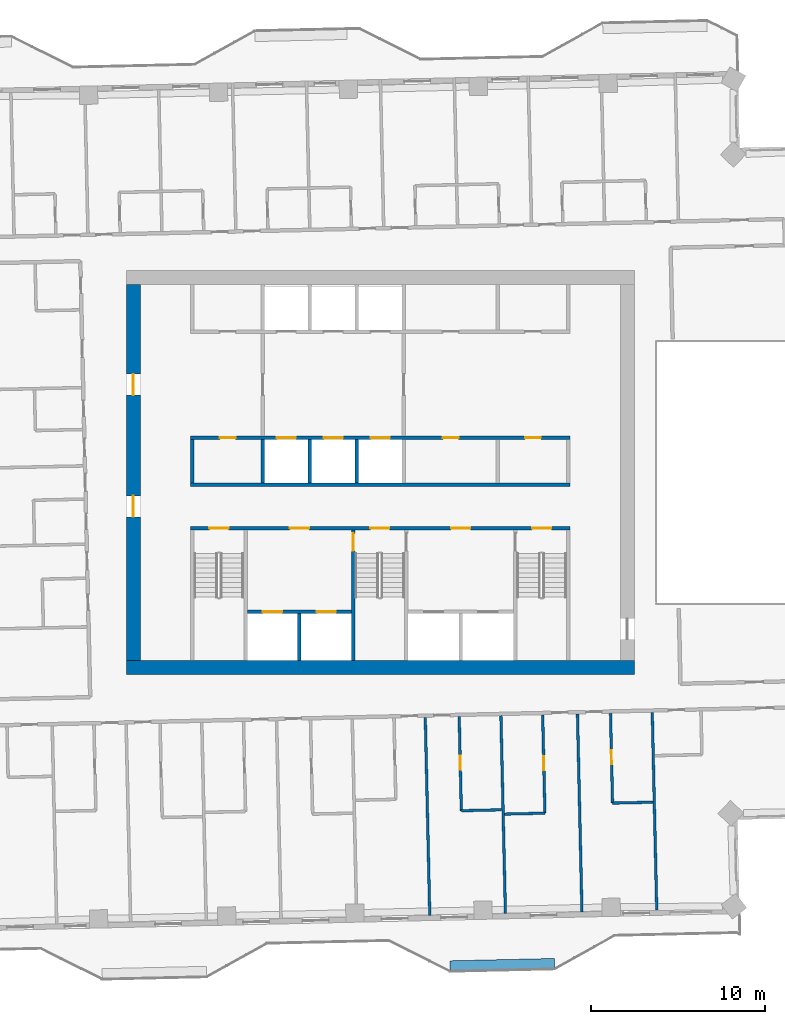
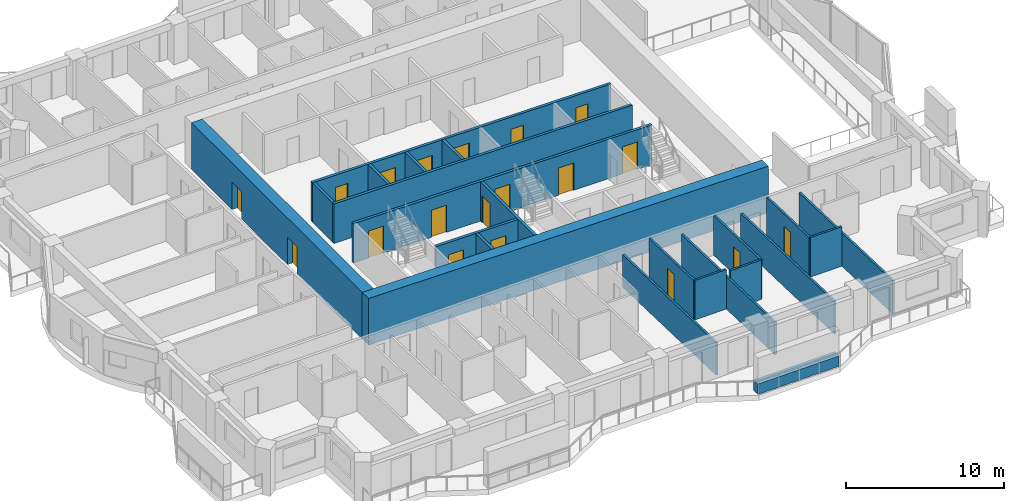
# One storey, part 8 of 17: 23 walls, 19 doors, 19 openings.
"""IFC4 building model written with IfcOpenShell, lengths in metres."""

from ifc_helpers import new_model, si_unit, direction, frame, frame_2d, origin, place, context, subcontext, project, spatial, rectangle, extrude, material, layer, layer_set, type_object, element, fill, save


model = new_model("IFC4")

# Units and contexts
model_context = context("Model", 3, precision=1e-05, world=origin(), true_north=direction((0.0, 1.0)))
body_context = subcontext(model_context, "Body", "Model", "MODEL_VIEW")
ifc_project = project(units=[si_unit("LENGTHUNIT", "METRE"), si_unit("AREAUNIT", "SQUARE_METRE"), si_unit("VOLUMEUNIT", "CUBIC_METRE"), si_unit("PLANEANGLEUNIT", "RADIAN"), si_unit("MASSUNIT", "GRAM", prefix="KILO")], contexts=[model_context])

# Site, building, storey
site_placement = place(None, origin())
site = spatial("IfcSite", under=ifc_project, at=site_placement, CompositionType="ELEMENT")
building_placement = place(site_placement, origin())
building = spatial("IfcBuilding", under=site, at=building_placement, Name="Mangrove Gate Tower", CompositionType="ELEMENT")
storey_placement = place(building_placement, frame((0.0, 0.0, 245.5)))
storey = spatial("IfcBuildingStorey", under=building, at=storey_placement, Name="L62", CompositionType="ELEMENT", Elevation=245.5)

# Walls
ifc_material_1 = material(Name="Concrete C32/40", Category="concrete")
ifc_layer_1 = layer(ifc_material_1, 0.199951171875)
ifc_layer_set_1 = layer_set([ifc_layer_1], Name="Core room wall 200 C32/40")
wall_type_1 = type_object("IfcWallType", Name="Core room wall 200 C32/40", PredefinedType="STANDARD", material=ifc_layer_set_1)
wall_1_placement = place(storey_placement, frame((-10.800048828125, -0.60009765625, 0.0), z_axis=(0.0, 0.0, 1.0), x_axis=(0.0, 1.0, 0.0)))
element("IfcWall", 1, at=wall_1_placement, inside=storey, type_object=wall_type_1, Name="WALL-L62-CORE-19", PredefinedType="STANDARD", context=body_context, shape_type="SweptSolid", body=[
    extrude(rectangle(XDim=2.5, YDim=0.199951171875, at=frame_2d((1.25, 0.0))), origin(), (0.0, 0.0, 1.0), 3.050048828125),
])
ifc_material_2 = material(Name="Concrete C60/75", Category="concrete")
ifc_layer_2 = layer(ifc_material_2, 0.199951171875)
ifc_layer_set_2 = layer_set([ifc_layer_2], Name="Core shaft wall 200 C60/75")
wall_type_2 = type_object("IfcWallType", Name="Core shaft wall 200 C60/75", PredefinedType="SHEAR", material=ifc_layer_set_2)
wall_2_placement = place(storey_placement, frame((-10.89990234375, -0.699951171875, 0.0), z_axis=(0.0, 0.0, 1.0), x_axis=(1.0, 0.0, 0.0)))
element("IfcWall", 2, at=wall_2_placement, inside=storey, type_object=wall_type_2, Name="WALL-L62-CORE-6", PredefinedType="SHEAR", context=body_context, shape_type="SweptSolid", body=[
    extrude(rectangle(XDim=21.7998046875, YDim=0.199951171875, at=frame_2d((10.89990234375, 0.0))), origin(), (0.0, 0.0, 1.0), 3.050048828125),
])

# Wall, openings, doors
wall_3_placement = place(storey_placement, frame((-10.89990234375, 2.0, 0.0), z_axis=(0.0, 0.0, 1.0), x_axis=(1.0, 0.0, 0.0)))
wall_3 = element("IfcWall", 3, at=wall_3_placement, inside=storey, type_object=wall_type_2, Name="WALL-L62-CORE-7", PredefinedType="SHEAR", context=body_context, shape_type="SweptSolid", body=[
    extrude(rectangle(XDim=21.7998046875, YDim=0.199951171875, at=frame_2d((10.89990234375, 0.0))), origin(), (0.0, 0.0, 1.0), 3.050048828125),
])
opening_1_placement = place(wall_3_placement, frame((4.949951171875, 0.0, 0.0)))
opening_1 = element("IfcOpeningElement", 4, at=opening_1_placement, cuts=wall_3, Name="Opening LD", PredefinedType="OPENING", context=body_context, shape_type="SweptSolid", body=[
    extrude(rectangle(XDim=1.10009765625, YDim=2.10009765625, at=frame_2d((0.550048828125, 1.050048828125))), frame((0.0, 0.10986328125, 0.0), z_axis=(0.0, -1.0, 0.0), x_axis=(1.0, 0.0, 0.0)), (0.0, 0.0, 1.0), 0.219970703125),
])
opening_2_placement = place(wall_3_placement, frame((7.64990234375, 0.0, 0.0)))
opening_2 = element("IfcOpeningElement", 5, at=opening_2_placement, cuts=wall_3, Name="Opening LD", PredefinedType="OPENING", context=body_context, shape_type="SweptSolid", body=[
    extrude(rectangle(XDim=1.10009765625, YDim=2.10009765625, at=frame_2d((0.550048828125, 1.050048828125))), frame((0.0, 0.10986328125, 0.0), z_axis=(0.0, -1.0, 0.0), x_axis=(1.0, 0.0, 0.0)), (0.0, 0.0, 1.0), 0.219970703125),
])
opening_3_placement = place(wall_3_placement, frame((10.35009765625, 0.0, 0.0)))
opening_3 = element("IfcOpeningElement", 6, at=opening_3_placement, cuts=wall_3, Name="Opening LD", PredefinedType="OPENING", context=body_context, shape_type="SweptSolid", body=[
    extrude(rectangle(XDim=1.10009765625, YDim=2.10009765625, at=frame_2d((0.550048828125, 1.050048828125))), frame((0.0, 0.10986328125, 0.0), z_axis=(0.0, -1.0, 0.0), x_axis=(1.0, 0.0, 0.0)), (0.0, 0.0, 1.0), 0.219970703125),
])
opening_4_placement = place(wall_3_placement, frame((1.675048828125, 0.0, 0.0)))
opening_4 = element("IfcOpeningElement", 7, at=opening_4_placement, cuts=wall_3, Name="Opening KD", PredefinedType="OPENING", context=body_context, shape_type="SweptSolid", body=[
    extrude(rectangle(XDim=0.89990234375, YDim=2.10009765625, at=frame_2d((0.449951171875, 1.050048828125))), frame((0.0, 0.10986328125, 0.0), z_axis=(0.0, -1.0, 0.0), x_axis=(1.0, 0.0, 0.0)), (0.0, 0.0, 1.0), 0.219970703125),
])
opening_5_placement = place(wall_3_placement, frame((14.5, 0.0, 0.0)))
opening_5 = element("IfcOpeningElement", 8, at=opening_5_placement, cuts=wall_3, Name="Opening KD", PredefinedType="OPENING", context=body_context, shape_type="SweptSolid", body=[
    extrude(rectangle(XDim=0.89990234375, YDim=2.10009765625, at=frame_2d((0.449951171875, 1.050048828125))), frame((0.0, 0.10986328125, 0.0), z_axis=(0.0, -1.0, 0.0), x_axis=(1.0, 0.0, 0.0)), (0.0, 0.0, 1.0), 0.219970703125),
])
opening_6_placement = place(wall_3_placement, frame((19.22509765625, 0.0, 0.0)))
opening_6 = element("IfcOpeningElement", 9, at=opening_6_placement, cuts=wall_3, Name="Opening RD", PredefinedType="OPENING", context=body_context, shape_type="SweptSolid", body=[
    extrude(rectangle(XDim=0.89990234375, YDim=2.10009765625, at=frame_2d((0.449951171875, 1.050048828125))), frame((0.0, 0.10986328125, 0.0), z_axis=(0.0, -1.0, 0.0), x_axis=(1.0, 0.0, 0.0)), (0.0, 0.0, 1.0), 0.219970703125),
])
ifc_material_3 = material(Name="Fire-rated steel door set", Category="steel")
door_type_1 = type_object("IfcDoorType", Name="Core room door FD30S 900x2100", OperationType="SINGLE_SWING_RIGHT", PredefinedType="DOOR", material=ifc_material_3)
door_1_placement = place(opening_4_placement, origin())
door_1 = element("IfcDoor", 10, at=door_1_placement, inside=storey, type_object=door_type_1, Name="Core room door Cleaner's store", OperationType="SINGLE_SWING_RIGHT", OverallHeight=2.10009765625, OverallWidth=0.89990234375, PredefinedType="DOOR", context=body_context, shape_type="SweptSolid", body=[
    extrude(rectangle(XDim=0.89990234375, YDim=2.10009765625, at=frame_2d((0.449951171875, 1.050048828125))), frame((0.0, 0.02490234375, 0.0), z_axis=(0.0, -1.0, 0.0), x_axis=(1.0, 0.0, 0.0)), (0.0, 0.0, 1.0), 0.050048828125),
])
fill(opening_4, door_1)
door_2_placement = place(opening_5_placement, origin())
door_2 = element("IfcDoor", 11, at=door_2_placement, inside=storey, type_object=door_type_1, Name="Core room door Refuse store", OperationType="SINGLE_SWING_RIGHT", OverallHeight=2.10009765625, OverallWidth=0.89990234375, PredefinedType="DOOR", context=body_context, shape_type="SweptSolid", body=[
    extrude(rectangle(XDim=0.89990234375, YDim=2.10009765625, at=frame_2d((0.449951171875, 1.050048828125))), frame((0.0, 0.02490234375, 0.0), z_axis=(0.0, -1.0, 0.0), x_axis=(1.0, 0.0, 0.0)), (0.0, 0.0, 1.0), 0.050048828125),
])
fill(opening_5, door_2)
ifc_material_4 = material(Name="Stainless steel 316", Category="steel")
door_type_2 = type_object("IfcDoorType", Name="Lift landing door 1100x2100", OperationType="SLIDING_TO_LEFT", PredefinedType="DOOR", material=ifc_material_4)
door_3_placement = place(opening_1_placement, origin())
door_3 = element("IfcDoor", 12, at=door_3_placement, inside=storey, type_object=door_type_2, Name="Landing door LD H01", OperationType="SLIDING_TO_LEFT", OverallHeight=2.10009765625, OverallWidth=1.10009765625, PredefinedType="DOOR", context=body_context, shape_type="SweptSolid", body=[
    extrude(rectangle(XDim=1.10009765625, YDim=2.10009765625, at=frame_2d((0.550048828125, 1.050048828125))), frame((0.0, 0.02490234375, 0.0), z_axis=(0.0, -1.0, 0.0), x_axis=(1.0, 0.0, 0.0)), (0.0, 0.0, 1.0), 0.050048828125),
])
fill(opening_1, door_3)
door_4_placement = place(opening_2_placement, origin())
door_4 = element("IfcDoor", 13, at=door_4_placement, inside=storey, type_object=door_type_2, Name="Landing door LD H02", OperationType="SLIDING_TO_LEFT", OverallHeight=2.10009765625, OverallWidth=1.10009765625, PredefinedType="DOOR", context=body_context, shape_type="SweptSolid", body=[
    extrude(rectangle(XDim=1.10009765625, YDim=2.10009765625, at=frame_2d((0.550048828125, 1.050048828125))), frame((0.0, 0.02490234375, 0.0), z_axis=(0.0, -1.0, 0.0), x_axis=(1.0, 0.0, 0.0)), (0.0, 0.0, 1.0), 0.050048828125),
])
fill(opening_2, door_4)
door_5_placement = place(opening_3_placement, origin())
door_5 = element("IfcDoor", 14, at=door_5_placement, inside=storey, type_object=door_type_2, Name="Landing door LD H03", OperationType="SLIDING_TO_LEFT", OverallHeight=2.10009765625, OverallWidth=1.10009765625, PredefinedType="DOOR", context=body_context, shape_type="SweptSolid", body=[
    extrude(rectangle(XDim=1.10009765625, YDim=2.10009765625, at=frame_2d((0.550048828125, 1.050048828125))), frame((0.0, 0.02490234375, 0.0), z_axis=(0.0, -1.0, 0.0), x_axis=(1.0, 0.0, 0.0)), (0.0, 0.0, 1.0), 0.050048828125),
])
fill(opening_3, door_5)
ifc_material_5 = material(Name="Fire-rated steel door set", Category="steel")
door_type_3 = type_object("IfcDoorType", Name="Riser door FD30S 900x2100", OperationType="SINGLE_SWING_LEFT", PredefinedType="DOOR", material=ifc_material_5)
door_6_placement = place(opening_6_placement, origin())
door_6 = element("IfcDoor", 15, at=door_6_placement, inside=storey, type_object=door_type_3, Name="Riser door Electrical room", OperationType="SINGLE_SWING_LEFT", OverallHeight=2.10009765625, OverallWidth=0.89990234375, PredefinedType="DOOR", context=body_context, shape_type="SweptSolid", body=[
    extrude(rectangle(XDim=0.89990234375, YDim=2.10009765625, at=frame_2d((0.449951171875, 1.050048828125))), frame((0.0, 0.02490234375, 0.0), z_axis=(0.0, -1.0, 0.0), x_axis=(1.0, 0.0, 0.0)), (0.0, 0.0, 1.0), 0.050048828125),
])
fill(opening_6, door_6)

wall_4_placement = place(storey_placement, frame((-7.64990234375, -8.0, 0.0), z_axis=(0.0, 0.0, 1.0), x_axis=(1.0, 0.0, 0.0)))
wall_4 = element("IfcWall", 16, at=wall_4_placement, inside=storey, type_object=wall_type_2, Name="WALL-L62-CORE-15", PredefinedType="SHEAR", context=body_context, shape_type="SweptSolid", body=[
    extrude(rectangle(XDim=6.0, YDim=0.199951171875, at=frame_2d((3.0, 0.0))), origin(), (0.0, 0.0, 1.0), 3.050048828125),
])
opening_7_placement = place(wall_4_placement, frame((0.89990234375, 0.0, 0.0)))
opening_7 = element("IfcOpeningElement", 17, at=opening_7_placement, cuts=wall_4, Name="Opening LD", PredefinedType="OPENING", context=body_context, shape_type="SweptSolid", body=[
    extrude(rectangle(XDim=1.10009765625, YDim=2.10009765625, at=frame_2d((0.550048828125, 1.050048828125))), frame((0.0, 0.10986328125, 0.0), z_axis=(0.0, -1.0, 0.0), x_axis=(1.0, 0.0, 0.0)), (0.0, 0.0, 1.0), 0.219970703125),
])
opening_8_placement = place(wall_4_placement, frame((4.0, 0.0, 0.0)))
opening_8 = element("IfcOpeningElement", 18, at=opening_8_placement, cuts=wall_4, Name="Opening LD", PredefinedType="OPENING", context=body_context, shape_type="SweptSolid", body=[
    extrude(rectangle(XDim=1.10009765625, YDim=2.10009765625, at=frame_2d((0.550048828125, 1.050048828125))), frame((0.0, 0.10986328125, 0.0), z_axis=(0.0, -1.0, 0.0), x_axis=(1.0, 0.0, 0.0)), (0.0, 0.0, 1.0), 0.219970703125),
])
door_7_placement = place(opening_7_placement, origin())
door_7 = element("IfcDoor", 19, at=door_7_placement, inside=storey, type_object=door_type_2, Name="Landing door LD SVL1", OperationType="SLIDING_TO_LEFT", OverallHeight=2.10009765625, OverallWidth=1.10009765625, PredefinedType="DOOR", context=body_context, shape_type="SweptSolid", body=[
    extrude(rectangle(XDim=1.10009765625, YDim=2.10009765625, at=frame_2d((0.550048828125, 1.050048828125))), frame((0.0, 0.02490234375, 0.0), z_axis=(0.0, -1.0, 0.0), x_axis=(1.0, 0.0, 0.0)), (0.0, 0.0, 1.0), 0.050048828125),
])
fill(opening_7, door_7)
door_8_placement = place(opening_8_placement, origin())
door_8 = element("IfcDoor", 20, at=door_8_placement, inside=storey, type_object=door_type_2, Name="Landing door LD SVL2", OperationType="SLIDING_TO_LEFT", OverallHeight=2.10009765625, OverallWidth=1.10009765625, PredefinedType="DOOR", context=body_context, shape_type="SweptSolid", body=[
    extrude(rectangle(XDim=1.10009765625, YDim=2.10009765625, at=frame_2d((0.550048828125, 1.050048828125))), frame((0.0, 0.02490234375, 0.0), z_axis=(0.0, -1.0, 0.0), x_axis=(1.0, 0.0, 0.0)), (0.0, 0.0, 1.0), 0.050048828125),
])
fill(opening_8, door_8)

# Walls
wall_5_placement = place(storey_placement, frame((-4.64990234375, -10.800048828125, 0.0), z_axis=(0.0, 0.0, 1.0), x_axis=(0.0, 1.0, 0.0)))
element("IfcWall", 21, at=wall_5_placement, inside=storey, type_object=wall_type_2, Name="WALL-L62-CORE-16", PredefinedType="SHEAR", context=body_context, shape_type="SweptSolid", body=[
    extrude(rectangle(XDim=2.699951171875, YDim=0.199951171875, at=frame_2d((1.35009765625, 0.0))), origin(), (0.0, 0.0, 1.0), 3.050048828125),
])
for number, where, z_axis, x_axis, name in (
    (22, (-6.75, -0.60009765625, 0.0), (0.0, 0.0, 1.0), (0.0, 1.0, 0.0), "WALL-L62-CORE-20"),
    (23, (-4.050048828125, -0.60009765625, 0.0), (0.0, 0.0, 1.0), (0.0, 1.0, 0.0), "WALL-L62-CORE-21"),
    (24, (-1.35009765625, -0.60009765625, 0.0), (0.0, 0.0, 1.0), (0.0, 1.0, 0.0), "WALL-L62-CORE-22"),
):
    element("IfcWall", number, at=place(storey_placement, frame(where, z_axis=z_axis, x_axis=x_axis)), inside=storey, type_object=wall_type_2, Name=name, PredefinedType="SHEAR", context=body_context, shape_type="SweptSolid", body=[
        extrude(rectangle(XDim=2.5, YDim=0.199951171875, at=frame_2d((1.25, 0.0))), origin(), (0.0, 0.0, 1.0), 3.050048828125),
    ])

# Wall, openings, doors
ifc_material_6 = material(Name="Concrete C60/75", Category="concrete")
ifc_layer_3 = layer(ifc_material_6, 0.199951171875)
ifc_layer_set_3 = layer_set([ifc_layer_3], Name="Core stair wall 200 C60/75")
wall_type_3 = type_object("IfcWallType", Name="Core stair wall 200 C60/75", PredefinedType="SHEAR", material=ifc_layer_set_3)
wall_6_placement = place(storey_placement, frame((-10.89990234375, -3.199951171875, 0.0), z_axis=(0.0, 0.0, 1.0), x_axis=(1.0, 0.0, 0.0)))
wall_6 = element("IfcWall", 25, at=wall_6_placement, inside=storey, type_object=wall_type_3, Name="WALL-L62-CORE-5", PredefinedType="SHEAR", context=body_context, shape_type="SweptSolid", body=[
    extrude(rectangle(XDim=21.7998046875, YDim=0.199951171875, at=frame_2d((10.89990234375, 0.0))), origin(), (0.0, 0.0, 1.0), 3.050048828125),
])
opening_9_placement = place(wall_6_placement, frame((1.074951171875, 0.0, 0.0)))
opening_9 = element("IfcOpeningElement", 26, at=opening_9_placement, cuts=wall_6, Name="Opening STD11", PredefinedType="OPENING", context=body_context, shape_type="SweptSolid", body=[
    extrude(rectangle(XDim=1.10009765625, YDim=2.10009765625, at=frame_2d((0.550048828125, 1.050048828125))), frame((0.0, 0.10986328125, 0.0), z_axis=(0.0, -1.0, 0.0), x_axis=(1.0, 0.0, 0.0)), (0.0, 0.0, 1.0), 0.219970703125),
])
opening_10_placement = place(wall_6_placement, frame((10.324951171875, 0.0, 0.0)))
opening_10 = element("IfcOpeningElement", 27, at=opening_10_placement, cuts=wall_6, Name="Opening STD11", PredefinedType="OPENING", context=body_context, shape_type="SweptSolid", body=[
    extrude(rectangle(XDim=1.10009765625, YDim=2.10009765625, at=frame_2d((0.550048828125, 1.050048828125))), frame((0.0, 0.10986328125, 0.0), z_axis=(0.0, -1.0, 0.0), x_axis=(1.0, 0.0, 0.0)), (0.0, 0.0, 1.0), 0.219970703125),
])
opening_11_placement = place(wall_6_placement, frame((19.625, 0.0, 0.0)))
opening_11 = element("IfcOpeningElement", 28, at=opening_11_placement, cuts=wall_6, Name="Opening STD11", PredefinedType="OPENING", context=body_context, shape_type="SweptSolid", body=[
    extrude(rectangle(XDim=1.10009765625, YDim=2.10009765625, at=frame_2d((0.550048828125, 1.050048828125))), frame((0.0, 0.10986328125, 0.0), z_axis=(0.0, -1.0, 0.0), x_axis=(1.0, 0.0, 0.0)), (0.0, 0.0, 1.0), 0.219970703125),
])
opening_12_placement = place(wall_6_placement, frame((5.699951171875, 0.0, 0.0)))
opening_12 = element("IfcOpeningElement", 29, at=opening_12_placement, cuts=wall_6, Name="Opening FL", PredefinedType="OPENING", context=body_context, shape_type="SweptSolid", body=[
    extrude(rectangle(XDim=1.10009765625, YDim=2.10009765625, at=frame_2d((0.550048828125, 1.050048828125))), frame((0.0, 0.10986328125, 0.0), z_axis=(0.0, -1.0, 0.0), x_axis=(1.0, 0.0, 0.0)), (0.0, 0.0, 1.0), 0.219970703125),
])
opening_13_placement = place(wall_6_placement, frame((14.97509765625, 0.0, 0.0)))
opening_13 = element("IfcOpeningElement", 30, at=opening_13_placement, cuts=wall_6, Name="Opening FL", PredefinedType="OPENING", context=body_context, shape_type="SweptSolid", body=[
    extrude(rectangle(XDim=1.10009765625, YDim=2.10009765625, at=frame_2d((0.550048828125, 1.050048828125))), frame((0.0, 0.10986328125, 0.0), z_axis=(0.0, -1.0, 0.0), x_axis=(1.0, 0.0, 0.0)), (0.0, 0.0, 1.0), 0.219970703125),
])
ifc_material_7 = material(Name="Fire-rated steel door set", Category="steel")
door_type_4 = type_object("IfcDoorType", Name="Lobby door FD60 1100x2100", OperationType="SINGLE_SWING_LEFT", PredefinedType="DOOR", material=ifc_material_7)
door_9_placement = place(opening_12_placement, origin())
door_9 = element("IfcDoor", 31, at=door_9_placement, inside=storey, type_object=door_type_4, Name="Lobby door service lobby", OperationType="SINGLE_SWING_LEFT", OverallHeight=2.10009765625, OverallWidth=1.10009765625, PredefinedType="DOOR", context=body_context, shape_type="SweptSolid", body=[
    extrude(rectangle(XDim=1.10009765625, YDim=2.10009765625, at=frame_2d((0.550048828125, 1.050048828125))), frame((0.0, 0.02490234375, 0.0), z_axis=(0.0, -1.0, 0.0), x_axis=(1.0, 0.0, 0.0)), (0.0, 0.0, 1.0), 0.050048828125),
])
fill(opening_12, door_9)
door_10_placement = place(opening_13_placement, origin())
door_10 = element("IfcDoor", 32, at=door_10_placement, inside=storey, type_object=door_type_4, Name="Lobby door fire-fighting lobby", OperationType="SINGLE_SWING_LEFT", OverallHeight=2.10009765625, OverallWidth=1.10009765625, PredefinedType="DOOR", context=body_context, shape_type="SweptSolid", body=[
    extrude(rectangle(XDim=1.10009765625, YDim=2.10009765625, at=frame_2d((0.550048828125, 1.050048828125))), frame((0.0, 0.02490234375, 0.0), z_axis=(0.0, -1.0, 0.0), x_axis=(1.0, 0.0, 0.0)), (0.0, 0.0, 1.0), 0.050048828125),
])
fill(opening_13, door_10)
ifc_material_8 = material(Name="Fire-rated steel door set", Category="steel")
door_type_5 = type_object("IfcDoorType", Name="Stair door FD60 1100x2100", OperationType="SINGLE_SWING_RIGHT", PredefinedType="DOOR", material=ifc_material_8)
door_11_placement = place(opening_9_placement, origin())
door_11 = element("IfcDoor", 33, at=door_11_placement, inside=storey, type_object=door_type_5, Name="Stair door Stair 1", OperationType="SINGLE_SWING_RIGHT", OverallHeight=2.10009765625, OverallWidth=1.10009765625, PredefinedType="DOOR", context=body_context, shape_type="SweptSolid", body=[
    extrude(rectangle(XDim=1.10009765625, YDim=2.10009765625, at=frame_2d((0.550048828125, 1.050048828125))), frame((0.0, 0.02490234375, 0.0), z_axis=(0.0, -1.0, 0.0), x_axis=(1.0, 0.0, 0.0)), (0.0, 0.0, 1.0), 0.050048828125),
])
fill(opening_9, door_11)
door_12_placement = place(opening_10_placement, origin())
door_12 = element("IfcDoor", 34, at=door_12_placement, inside=storey, type_object=door_type_5, Name="Stair door Stair 2", OperationType="SINGLE_SWING_RIGHT", OverallHeight=2.10009765625, OverallWidth=1.10009765625, PredefinedType="DOOR", context=body_context, shape_type="SweptSolid", body=[
    extrude(rectangle(XDim=1.10009765625, YDim=2.10009765625, at=frame_2d((0.550048828125, 1.050048828125))), frame((0.0, 0.02490234375, 0.0), z_axis=(0.0, -1.0, 0.0), x_axis=(1.0, 0.0, 0.0)), (0.0, 0.0, 1.0), 0.050048828125),
])
fill(opening_10, door_12)
door_13_placement = place(opening_11_placement, origin())
door_13 = element("IfcDoor", 35, at=door_13_placement, inside=storey, type_object=door_type_5, Name="Stair door Stair 3", OperationType="SINGLE_SWING_RIGHT", OverallHeight=2.10009765625, OverallWidth=1.10009765625, PredefinedType="DOOR", context=body_context, shape_type="SweptSolid", body=[
    extrude(rectangle(XDim=1.10009765625, YDim=2.10009765625, at=frame_2d((0.550048828125, 1.050048828125))), frame((0.0, 0.02490234375, 0.0), z_axis=(0.0, -1.0, 0.0), x_axis=(1.0, 0.0, 0.0)), (0.0, 0.0, 1.0), 0.050048828125),
])
fill(opening_11, door_13)

# Wall, opening, door
wall_7_placement = place(storey_placement, frame((-1.550048828125, -10.800048828125, 0.0), z_axis=(0.0, 0.0, 1.0), x_axis=(0.0, 1.0, 0.0)))
wall_7 = element("IfcWall", 36, at=wall_7_placement, inside=storey, type_object=wall_type_3, Name="WALL-L62-CORE-11", PredefinedType="SHEAR", context=body_context, shape_type="SweptSolid", body=[
    extrude(rectangle(XDim=7.5, YDim=0.199951171875, at=frame_2d((3.75, 0.0))), origin(), (0.0, 0.0, 1.0), 3.050048828125),
])
opening_14_placement = place(wall_7_placement, frame((6.300048828125, 0.0, 0.0)))
opening_14 = element("IfcOpeningElement", 37, at=opening_14_placement, cuts=wall_7, Name="Opening STD10", PredefinedType="OPENING", context=body_context, shape_type="SweptSolid", body=[
    extrude(rectangle(XDim=1.0, YDim=2.10009765625, at=frame_2d((0.5, 1.050048828125))), frame((0.0, 0.10986328125, 0.0), z_axis=(0.0, -1.0, 0.0), x_axis=(1.0, 0.0, 0.0)), (0.0, 0.0, 1.0), 0.219970703125),
])
ifc_material_9 = material(Name="Fire-rated steel door set", Category="steel")
door_type_6 = type_object("IfcDoorType", Name="Stair door FD60 1000x2100", OperationType="SINGLE_SWING_RIGHT", PredefinedType="DOOR", material=ifc_material_9)
door_14_placement = place(opening_14_placement, origin())
door_14 = element("IfcDoor", 38, at=door_14_placement, inside=storey, type_object=door_type_6, Name="Stair door Stair 2 from service lobby", OperationType="SINGLE_SWING_RIGHT", OverallHeight=2.10009765625, OverallWidth=1.0, PredefinedType="DOOR", context=body_context, shape_type="SweptSolid", body=[
    extrude(rectangle(XDim=1.0, YDim=2.10009765625, at=frame_2d((0.5, 1.050048828125))), frame((0.0, 0.02490234375, 0.0), z_axis=(0.0, -1.0, 0.0), x_axis=(1.0, 0.0, 0.0)), (0.0, 0.0, 1.0), 0.050048828125),
])
fill(opening_14, door_14)

# Wall
ifc_material_10 = material(Name="Concrete C60/75", Category="concrete")
ifc_layer_4 = layer(ifc_material_10, 0.800048828125)
ifc_layer_set_4 = layer_set([ifc_layer_4], Name="Core wall 800 C60/75")
wall_type_4 = type_object("IfcWallType", Name="Core wall 800 C60/75", PredefinedType="SHEAR", material=ifc_layer_set_4)
wall_8_placement = place(storey_placement, frame((-14.60009765625, -11.199951171875, 0.0), z_axis=(0.0, 0.0, 1.0), x_axis=(1.0, 0.0, 0.0)))
element("IfcWall", 39, at=wall_8_placement, inside=storey, type_object=wall_type_4, Name="WALL-L62-CORE-1", PredefinedType="SHEAR", context=body_context, shape_type="SweptSolid", body=[
    extrude(rectangle(XDim=29.2001953125, YDim=0.800048828125, at=frame_2d((14.60009765625, 0.0))), origin(), (0.0, 0.0, 1.0), 3.60009765625),
])

# Wall, openings, doors
wall_9_placement = place(storey_placement, frame((-14.199951171875, -10.800048828125, 0.0), z_axis=(0.0, 0.0, 1.0), x_axis=(0.0, 1.0, 0.0)))
wall_9 = element("IfcWall", 40, at=wall_9_placement, inside=storey, type_object=wall_type_4, Name="WALL-L62-CORE-3", PredefinedType="SHEAR", context=body_context, shape_type="SweptSolid", body=[
    extrude(rectangle(XDim=21.60009765625, YDim=0.800048828125, at=frame_2d((10.800048828125, 0.0))), origin(), (0.0, 0.0, 1.0), 3.60009765625),
])
opening_15_placement = place(wall_9_placement, frame((8.25, 0.0, 0.0)))
opening_15 = element("IfcOpeningElement", 41, at=opening_15_placement, cuts=wall_9, Name="Opening CD", PredefinedType="OPENING", context=body_context, shape_type="SweptSolid", body=[
    extrude(rectangle(XDim=1.199951171875, YDim=2.10009765625, at=frame_2d((0.60009765625, 1.050048828125))), frame((0.0, 0.409912109375, 0.0), z_axis=(0.0, -1.0, 0.0), x_axis=(1.0, 0.0, 0.0)), (0.0, 0.0, 1.0), 0.820068359375),
])
opening_16_placement = place(wall_9_placement, frame((15.25, 0.0, 0.0)))
opening_16 = element("IfcOpeningElement", 42, at=opening_16_placement, cuts=wall_9, Name="Opening CD", PredefinedType="OPENING", context=body_context, shape_type="SweptSolid", body=[
    extrude(rectangle(XDim=1.199951171875, YDim=2.10009765625, at=frame_2d((0.60009765625, 1.050048828125))), frame((0.0, 0.409912109375, 0.0), z_axis=(0.0, -1.0, 0.0), x_axis=(1.0, 0.0, 0.0)), (0.0, 0.0, 1.0), 0.820068359375),
])
ifc_material_11 = material(Name="Fire-rated steel door set", Category="steel")
door_type_7 = type_object("IfcDoorType", Name="Core ring door FD60 1200x2100", OperationType="DOUBLE_DOOR_SINGLE_SWING", PredefinedType="DOOR", material=ifc_material_11)
door_15_placement = place(opening_15_placement, origin())
door_15 = element("IfcDoor", 43, at=door_15_placement, inside=storey, type_object=door_type_7, Name="Core ring door W1", OperationType="DOUBLE_DOOR_SINGLE_SWING", OverallHeight=2.10009765625, OverallWidth=1.199951171875, PredefinedType="DOOR", context=body_context, shape_type="SweptSolid", body=[
    extrude(rectangle(XDim=1.199951171875, YDim=2.10009765625, at=frame_2d((0.60009765625, 1.050048828125))), frame((0.0, 0.02490234375, 0.0), z_axis=(0.0, -1.0, 0.0), x_axis=(1.0, 0.0, 0.0)), (0.0, 0.0, 1.0), 0.050048828125),
])
fill(opening_15, door_15)
door_16_placement = place(opening_16_placement, origin())
door_16 = element("IfcDoor", 44, at=door_16_placement, inside=storey, type_object=door_type_7, Name="Core ring door W2", OperationType="DOUBLE_DOOR_SINGLE_SWING", OverallHeight=2.10009765625, OverallWidth=1.199951171875, PredefinedType="DOOR", context=body_context, shape_type="SweptSolid", body=[
    extrude(rectangle(XDim=1.199951171875, YDim=2.10009765625, at=frame_2d((0.60009765625, 1.050048828125))), frame((0.0, 0.02490234375, 0.0), z_axis=(0.0, -1.0, 0.0), x_axis=(1.0, 0.0, 0.0)), (0.0, 0.0, 1.0), 0.050048828125),
])
fill(opening_16, door_16)

# Walls
ifc_material_12 = material(Name="Gypsum board on steel stud, EI 60", Category="steel")
ifc_layer_5 = layer(ifc_material_12, 0.14990234375)
ifc_layer_set_5 = layer_set([ifc_layer_5], Name="Party wall 150 EI 60")
wall_type_5 = type_object("IfcWallType", Name="Party wall 150 EI 60", PredefinedType="PARTITIONING", material=ifc_layer_set_5)
for number, where, z_axis, x_axis, name in (
    (45, (2.841064453125, -25.455078125, 0.0), (0.0, 0.0, 1.0), (-0.022684355347, 0.999742676904, 0.0), "WALL-L62-006"),
    (46, (7.18994140625, -25.35693359375, 0.0), (0.0, 0.0, 1.0), (-0.022684355347, 0.999742676904, 0.0), "WALL-L62-007"),
    (47, (11.589111328125, -25.257080078125, 0.0), (0.0, 0.0, 1.0), (-0.022684355347, 0.999742676904, 0.0), "WALL-L62-008"),
):
    element("IfcWall", number, at=place(storey_placement, frame(where, z_axis=z_axis, x_axis=x_axis)), inside=storey, type_object=wall_type_5, Name=name, PredefinedType="PARTITIONING", context=body_context, shape_type="SweptSolid", body=[
        extrude(rectangle(XDim=11.3759765625, YDim=0.14990234375, at=frame_2d((5.68798828125, 0.0))), origin(), (0.0, 0.0, 1.0), 2.5),
    ])
wall_10_placement = place(storey_placement, frame((15.887939453125, -25.158935546875, 0.0), z_axis=(0.0, 0.0, 1.0), x_axis=(-0.022684355347, 0.999742676904, 0.0)))
element("IfcWall", 48, at=wall_10_placement, inside=storey, type_object=wall_type_5, Name="WALL-L62-009", PredefinedType="PARTITIONING", context=body_context, shape_type="SweptSolid", body=[
    extrude(rectangle(XDim=11.3759765625, YDim=0.14990234375, at=frame_2d((5.68798828125, 0.0))), origin(), (0.0, 0.0, 1.0), 2.550048828125),
])

# Wall, opening, door
wall_11_placement = place(storey_placement, frame((9.4599609375, -19.587890625, 0.0), z_axis=(0.0, 0.0, 1.0), x_axis=(-0.022773332125, 0.999740654042, 0.0)))
wall_11 = element("IfcWall", 49, at=wall_11_placement, inside=storey, type_object=wall_type_5, Name="WALL-L62-010", PredefinedType="PARTITIONING", context=body_context, shape_type="SweptSolid", body=[
    extrude(rectangle(XDim=5.660400390625, YDim=0.14990234375, at=frame_2d((2.830078125, 0.0))), origin(), (0.0, 0.0, 1.0), 3.050048828125),
])
opening_17_placement = place(wall_11_placement, frame((2.47998046875, 0.0, 0.0)))
opening_17 = element("IfcOpeningElement", 50, at=opening_17_placement, cuts=wall_11, Name="Opening ED", PredefinedType="OPENING", context=body_context, shape_type="SweptSolid", body=[
    extrude(rectangle(XDim=0.800048828125, YDim=2.10009765625, at=frame_2d((0.39990234375, 1.050048828125))), frame((0.0, 0.0849609375, 0.0), z_axis=(0.0, -1.0, 0.0), x_axis=(1.0, 0.0, 0.0)), (0.0, 0.0, 1.0), 0.169921875),
])
ifc_material_13 = material(Name="Timber door leaf", Category="wood")
door_type_8 = type_object("IfcDoorType", Name="En-suite door 800", OperationType="SINGLE_SWING_LEFT", PredefinedType="DOOR", material=ifc_material_13)
door_17_placement = place(opening_17_placement, origin())
door_17 = element("IfcDoor", 51, at=door_17_placement, inside=storey, type_object=door_type_8, Name="DOOR-L62-ENS-c207", OperationType="SINGLE_SWING_LEFT", OverallHeight=2.10009765625, OverallWidth=0.800048828125, PredefinedType="DOOR", context=body_context, shape_type="SweptSolid", body=[
    extrude(rectangle(XDim=0.800048828125, YDim=2.10009765625, at=frame_2d((0.39990234375, 1.050048828125))), frame((0.0, 0.02490234375, 0.0), z_axis=(0.0, -1.0, 0.0), x_axis=(1.0, 0.0, 0.0)), (0.0, 0.0, 1.0), 0.050048828125),
])
fill(opening_17, door_17)

# Wall
wall_12_placement = place(storey_placement, frame((7.131103515625, -19.636962890625, 0.0), z_axis=(0.0, 0.0, 1.0), x_axis=(0.999740478815, 0.022781023197, 0.0)))
element("IfcWall", 52, at=wall_12_placement, inside=storey, type_object=wall_type_5, Name="WALL-L62-011", PredefinedType="PARTITIONING", context=body_context, shape_type="SweptSolid", body=[
    extrude(rectangle(XDim=2.325439453125, YDim=0.14990234375, at=frame_2d((1.16259765625, 0.0))), origin(), (0.0, 0.0, 1.0), 3.050048828125),
])

# Wall, opening, door
wall_13_placement = place(storey_placement, frame((4.655029296875, -19.447021484375, 0.0), z_axis=(0.0, 0.0, 1.0), x_axis=(-0.022562523897, 0.999745433856, 0.0)))
wall_13 = element("IfcWall", 53, at=wall_13_placement, inside=storey, type_object=wall_type_5, Name="WALL-L62-014", PredefinedType="PARTITIONING", context=body_context, shape_type="SweptSolid", body=[
    extrude(rectangle(XDim=5.410400390625, YDim=0.14990234375, at=frame_2d((2.705078125, 0.0))), origin(), (0.0, 0.0, 1.0), 3.050048828125),
])
opening_18_placement = place(wall_13_placement, frame((2.35498046875, 0.0, 0.0)))
opening_18 = element("IfcOpeningElement", 54, at=opening_18_placement, cuts=wall_13, Name="Opening ED", PredefinedType="OPENING", context=body_context, shape_type="SweptSolid", body=[
    extrude(rectangle(XDim=0.800048828125, YDim=2.10009765625, at=frame_2d((0.39990234375, 1.050048828125))), frame((0.0, 0.0849609375, 0.0), z_axis=(0.0, -1.0, 0.0), x_axis=(1.0, 0.0, 0.0)), (0.0, 0.0, 1.0), 0.169921875),
])
door_18_placement = place(opening_18_placement, origin())
door_18 = element("IfcDoor", 55, at=door_18_placement, inside=storey, type_object=door_type_8, Name="DOOR-L62-ENS-c206", OperationType="SINGLE_SWING_RIGHT", OverallHeight=2.10009765625, OverallWidth=0.800048828125, PredefinedType="DOOR", context=body_context, shape_type="SweptSolid", body=[
    extrude(rectangle(XDim=0.800048828125, YDim=2.10009765625, at=frame_2d((0.39990234375, 1.050048828125))), frame((0.0, 0.02490234375, 0.0), z_axis=(0.0, -1.0, 0.0), x_axis=(1.0, 0.0, 0.0)), (0.0, 0.0, 1.0), 0.050048828125),
])
fill(opening_18, door_18)

# Wall
wall_14_placement = place(storey_placement, frame((4.65087890625, -19.443115234375, 0.0), z_axis=(0.0, 0.0, 1.0), x_axis=(0.999738137323, 0.022883548292, 0.0)))
element("IfcWall", 56, at=wall_14_placement, inside=storey, type_object=wall_type_5, Name="WALL-L62-017", PredefinedType="PARTITIONING", context=body_context, shape_type="SweptSolid", body=[
    extrude(rectangle(XDim=2.32568359375, YDim=0.14990234375, at=frame_2d((1.162841796875, 0.0))), origin(), (0.0, 0.0, 1.0), 3.050048828125),
])

# Wall, opening, door
wall_15_placement = place(storey_placement, frame((13.347900390625, -19.009033203125, 0.0), z_axis=(0.0, 0.0, 1.0), x_axis=(-0.022811522835, 0.999739783357, 0.0)))
wall_15 = element("IfcWall", 57, at=wall_15_placement, inside=storey, type_object=wall_type_5, Name="WALL-L62-019", PredefinedType="PARTITIONING", context=body_context, shape_type="SweptSolid", body=[
    extrude(rectangle(XDim=5.16943359375, YDim=0.14990234375, at=frame_2d((2.584716796875, 0.0))), origin(), (0.0, 0.0, 1.0), 3.050048828125),
])
opening_19_placement = place(wall_15_placement, frame((2.235107421875, 0.0, 0.0)))
opening_19 = element("IfcOpeningElement", 58, at=opening_19_placement, cuts=wall_15, Name="Opening ED", PredefinedType="OPENING", context=body_context, shape_type="SweptSolid", body=[
    extrude(rectangle(XDim=0.800048828125, YDim=2.10009765625, at=frame_2d((0.39990234375, 1.050048828125))), frame((0.0, 0.0849609375, 0.0), z_axis=(0.0, -1.0, 0.0), x_axis=(1.0, 0.0, 0.0)), (0.0, 0.0, 1.0), 0.169921875),
])
door_19_placement = place(opening_19_placement, origin())
door_19 = element("IfcDoor", 59, at=door_19_placement, inside=storey, type_object=door_type_8, Name="DOOR-L62-ENS-c308", OperationType="SINGLE_SWING_RIGHT", OverallHeight=2.10009765625, OverallWidth=0.800048828125, PredefinedType="DOOR", context=body_context, shape_type="SweptSolid", body=[
    extrude(rectangle(XDim=0.800048828125, YDim=2.10009765625, at=frame_2d((0.39990234375, 1.050048828125))), frame((0.0, 0.02490234375, 0.0), z_axis=(0.0, -1.0, 0.0), x_axis=(1.0, 0.0, 0.0)), (0.0, 0.0, 1.0), 0.050048828125),
])
fill(opening_19, door_19)

# Walls
wall_16_placement = place(storey_placement, frame((13.343994140625, -19.0048828125, 0.0), z_axis=(0.0, 0.0, 1.0), x_axis=(0.999749744571, 0.022370700241, 0.0)))
element("IfcWall", 60, at=wall_16_placement, inside=storey, type_object=wall_type_5, Name="WALL-L62-021", PredefinedType="PARTITIONING", context=body_context, shape_type="SweptSolid", body=[
    extrude(rectangle(XDim=2.324462890625, YDim=0.14990234375, at=frame_2d((1.162109375, 0.0))), origin(), (0.0, 0.0, 1.0), 3.050048828125),
])
ifc_material_14 = material(Name="Concrete C32/40", Category="concrete")
ifc_layer_6 = layer(ifc_material_14, 0.199951171875, Name="Planter trough wall")
ifc_material_15 = material(Name="Bituminous waterproofing membrane")
ifc_layer_7 = layer(ifc_material_15, 0.0048828125, Name="Waterproofing")
ifc_material_16 = material(Name="Drainage board and gravel")
ifc_layer_8 = layer(ifc_material_16, 0.044921875, Name="Drainage layer")
ifc_material_17 = material(Name="Planting soil")
ifc_layer_9 = layer(ifc_material_17, 0.300048828125, Name="Growing medium")
ifc_layer_set_6 = layer_set([ifc_layer_6, ifc_layer_7, ifc_layer_8, ifc_layer_9], Name="Planter wall 550 C32/40")
wall_type_6 = type_object("IfcWallType", Name="Planter wall 550 C32/40", PredefinedType="USERDEFINED", material=ifc_layer_set_6)
wall_17_placement = place(storey_placement, frame((4.007080078125, -28.344970703125, 0.0), z_axis=(0.0, 0.0, 1.0), x_axis=(0.999743178102, 0.022662255828, 0.0)))
element("IfcWall", 61, at=wall_17_placement, inside=storey, type_object=wall_type_6, Name="PLANTER L62 S1.1", ObjectType="PLANTER", PredefinedType="USERDEFINED", context=body_context, shape_type="SweptSolid", body=[
    extrude(rectangle(XDim=6.00048828125, YDim=0.550048828125, at=frame_2d((3.000244140625, 0.0))), origin(), (0.0, 0.0, 1.0), 0.800048828125),
])

save(model, "model.ifc")
